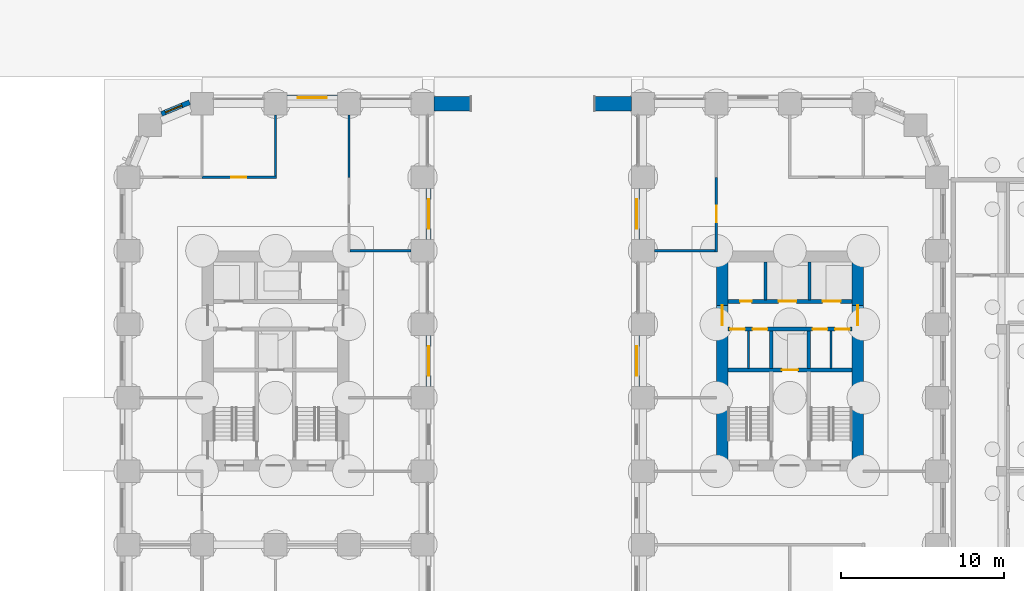
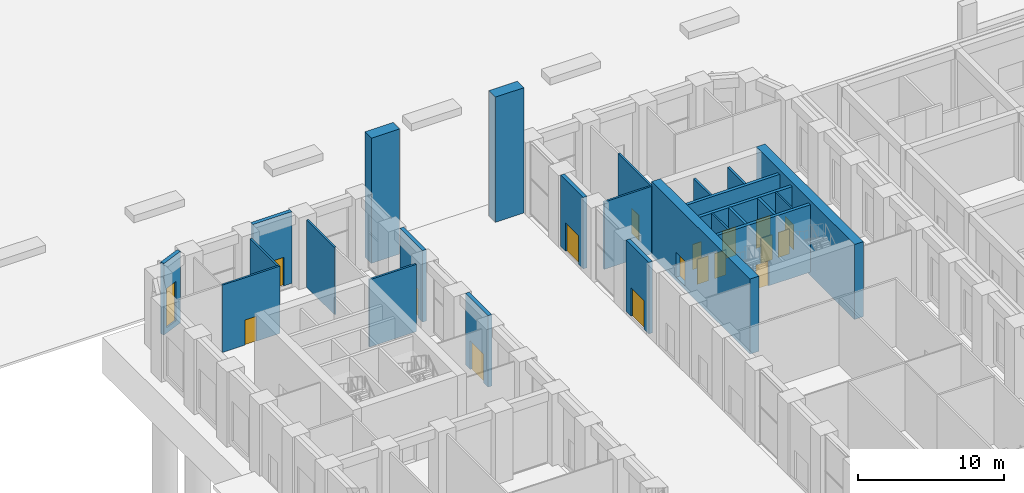
# One storey, part 18 of 31: 25 walls, 17 doors, 1 window, 18 openings.
"""IFC4 building model written with IfcOpenShell, lengths in metres."""

from ifc_helpers import new_model, si_unit, direction, frame, frame_2d, origin, place, context, subcontext, project, spatial, rectangle, extrude, material, layer, layer_set, type_object, element, fill, save


model = new_model("IFC4")

# Units and contexts
model_context = context("Model", 3, precision=1e-05, world=origin(), true_north=direction((0.0, 1.0)))
body_context = subcontext(model_context, "Body", "Model", "MODEL_VIEW")
ifc_project = project(units=[si_unit("LENGTHUNIT", "METRE"), si_unit("AREAUNIT", "SQUARE_METRE"), si_unit("VOLUMEUNIT", "CUBIC_METRE"), si_unit("PLANEANGLEUNIT", "RADIAN"), si_unit("MASSUNIT", "GRAM", prefix="KILO")], contexts=[model_context])

# Site, building, storey
site_placement = place(None, origin())
site = spatial("IfcSite", under=ifc_project, at=site_placement, CompositionType="ELEMENT")
building_placement = place(site_placement, origin())
building = spatial("IfcBuilding", under=site, at=building_placement, Name="Girih Gate Residences", CompositionType="ELEMENT")
storey_placement = place(building_placement, origin())
storey = spatial("IfcBuildingStorey", under=building, at=storey_placement, Name="L00", CompositionType="ELEMENT", Elevation=0.0)

# Wall
ifc_material_1 = material(Name="Gypsum board on steel studs", Category="steel")
ifc_layer_1 = layer(ifc_material_1, 0.14990234375)
ifc_layer_set_1 = layer_set([ifc_layer_1], Name="Compartment wall 150 mm")
wall_type_1 = type_object("IfcWallType", Name="Compartment wall 150 mm", PredefinedType="PARTITIONING", material=ifc_layer_set_1)
wall_1_placement = place(storey_placement, frame((32.199951171875, 40.5, 0.0), z_axis=(0.0, 0.0, 1.0), x_axis=(1.0, 0.0, 0.0)))
element("IfcWall", 1, at=wall_1_placement, inside=storey, type_object=wall_type_1, Name="L00 partition", PredefinedType="PARTITIONING", context=body_context, shape_type="SweptSolid", body=[
    extrude(rectangle(XDim=3.72509765625, YDim=0.14990234375, at=frame_2d((1.862548828125, 0.0))), origin(), (0.0, 0.0, 1.0), 5.64990234375),
])

# Wall, opening, door
wall_2_placement = place(storey_placement, frame((36.0, 40.425048828125, 0.0), z_axis=(0.0, 0.0, 1.0), x_axis=(0.0, 1.0, 0.0)))
wall_2 = element("IfcWall", 2, at=wall_2_placement, inside=storey, type_object=wall_type_1, Name="L00 partition", PredefinedType="PARTITIONING", context=body_context, shape_type="SweptSolid", body=[
    extrude(rectangle(XDim=4.574951171875, YDim=0.14990234375, at=frame_2d((2.28759765625, 0.0))), origin(), (0.0, 0.0, 1.0), 5.64990234375),
])
opening_1_placement = place(wall_2_placement, frame((1.824951171875, 0.0, 0.0)))
opening_1 = element("IfcOpeningElement", 3, at=opening_1_placement, cuts=wall_2, Name="Opening D-L00-S-001", PredefinedType="OPENING", context=body_context, shape_type="SweptSolid", body=[
    extrude(rectangle(XDim=1.0, YDim=2.10009765625, at=frame_2d((0.5, 1.050048828125))), frame((0.0, 0.0849609375, 0.0), z_axis=(0.0, -1.0, 0.0), x_axis=(1.0, 0.0, 0.0)), (0.0, 0.0, 1.0), 0.169921875),
])
ifc_material_2 = material(Name="Timber, fire-rated core", Category="wood")
door_type_1 = type_object("IfcDoorType", Name="Amenity door 1000x2100 FD30S", OperationType="SINGLE_SWING_LEFT", PredefinedType="DOOR", material=ifc_material_2)
door_1_placement = place(opening_1_placement, origin())
door_1 = element("IfcDoor", 4, at=door_1_placement, inside=storey, type_object=door_type_1, Name="Door L00-001", OperationType="SINGLE_SWING_RIGHT", OverallHeight=2.10009765625, OverallWidth=1.0, PredefinedType="DOOR", context=body_context, shape_type="SweptSolid", body=[
    extrude(rectangle(XDim=1.0, YDim=2.10009765625, at=frame_2d((0.5, 1.050048828125))), frame((0.0, 0.02490234375, 0.0), z_axis=(0.0, -1.0, 0.0), x_axis=(1.0, 0.0, 0.0)), (0.0, 0.0, 1.0), 0.050048828125),
])
fill(opening_1, door_1)

# Walls
wall_3_placement = place(storey_placement, frame((13.574951171875, 40.5, 0.0), z_axis=(0.0, 0.0, 1.0), x_axis=(1.0, 0.0, 0.0)))
element("IfcWall", 5, at=wall_3_placement, inside=storey, type_object=wall_type_1, Name="L00 partition", PredefinedType="PARTITIONING", context=body_context, shape_type="SweptSolid", body=[
    extrude(rectangle(XDim=3.72509765625, YDim=0.14990234375, at=frame_2d((1.862548828125, 0.0))), origin(), (0.0, 0.0, 1.0), 5.64990234375),
])
wall_4_placement = place(storey_placement, frame((13.5, 45.0, 0.0), z_axis=(0.0, 0.0, 1.0), x_axis=(0.0, 1.0, 0.0)))
element("IfcWall", 6, at=wall_4_placement, inside=storey, type_object=wall_type_1, Name="L00 partition", PredefinedType="PARTITIONING", context=body_context, shape_type="SweptSolid", body=[
    extrude(rectangle(XDim=3.800048828125, YDim=0.14990234375, at=frame_2d((1.89990234375, 0.0))), origin(), (0.0, 0.0, 1.0), 5.64990234375),
])
wall_5_placement = place(storey_placement, frame((9.0, 45.074951171875, 0.0), z_axis=(0.0, 0.0, 1.0), x_axis=(0.0, 1.0, 0.0)))
element("IfcWall", 7, at=wall_5_placement, inside=storey, type_object=wall_type_1, Name="L00 partition", PredefinedType="PARTITIONING", context=body_context, shape_type="SweptSolid", body=[
    extrude(rectangle(XDim=3.72509765625, YDim=0.14990234375, at=frame_2d((1.862548828125, 0.0))), origin(), (0.0, 0.0, 1.0), 5.64990234375),
])

# Wall, opening, door
wall_6_placement = place(storey_placement, frame((4.5, 45.0, 0.0), z_axis=(0.0, 0.0, 1.0), x_axis=(1.0, 0.0, 0.0)))
wall_6 = element("IfcWall", 8, at=wall_6_placement, inside=storey, type_object=wall_type_1, Name="L00 partition", PredefinedType="PARTITIONING", context=body_context, shape_type="SweptSolid", body=[
    extrude(rectangle(XDim=4.574951171875, YDim=0.14990234375, at=frame_2d((2.28759765625, 0.0))), origin(), (0.0, 0.0, 1.0), 5.64990234375),
])
opening_2_placement = place(wall_6_placement, frame((1.800048828125, 0.0, 0.0)))
opening_2 = element("IfcOpeningElement", 9, at=opening_2_placement, cuts=wall_6, Name="Opening D-L00-S-011", PredefinedType="OPENING", context=body_context, shape_type="SweptSolid", body=[
    extrude(rectangle(XDim=0.89990234375, YDim=2.10009765625, at=frame_2d((0.449951171875, 1.050048828125))), frame((0.0, 0.0849609375, 0.0), z_axis=(0.0, -1.0, 0.0), x_axis=(1.0, 0.0, 0.0)), (0.0, 0.0, 1.0), 0.169921875),
])
ifc_material_3 = material(Name="Timber", Category="wood")
door_type_2 = type_object("IfcDoorType", Name="Room door 900x2100", OperationType="SINGLE_SWING_LEFT", PredefinedType="DOOR", material=ifc_material_3)
door_2_placement = place(opening_2_placement, origin())
door_2 = element("IfcDoor", 10, at=door_2_placement, inside=storey, type_object=door_type_2, Name="Door L00-011", OperationType="SINGLE_SWING_LEFT", OverallHeight=2.10009765625, OverallWidth=0.89990234375, PredefinedType="DOOR", context=body_context, shape_type="SweptSolid", body=[
    extrude(rectangle(XDim=0.89990234375, YDim=2.10009765625, at=frame_2d((0.449951171875, 1.050048828125))), frame((0.0, 0.02490234375, 0.0), z_axis=(0.0, -1.0, 0.0), x_axis=(1.0, 0.0, 0.0)), (0.0, 0.0, 1.0), 0.050048828125),
])
fill(opening_2, door_2)

ifc_material_4 = material(Name="Concrete C60/75", Category="concrete")
ifc_layer_2 = layer(ifc_material_4, 0.699951171875)
ifc_layer_set_2 = layer_set([ifc_layer_2], Name="Core wall RC 700 Concrete C60/75")
wall_type_2 = type_object("IfcWallType", Name="Core wall RC 700 Concrete C60/75", PredefinedType="SOLIDWALL", material=ifc_layer_set_2)
wall_7_placement = place(storey_placement, frame((36.35009765625, 27.0, -0.300048828125), z_axis=(0.0, 0.0, 1.0), x_axis=(0.0, 1.0, 0.0)))
wall_7 = element("IfcWall", 11, at=wall_7_placement, inside=storey, type_object=wall_type_2, Name="Core wall E-W L00", PredefinedType="SOLIDWALL", context=body_context, shape_type="SweptSolid", body=[
    extrude(rectangle(XDim=13.5, YDim=0.699951171875, at=frame_2d((6.75, 0.0))), origin(), (0.0, 0.0, 1.0), 6.300048828125),
])
opening_3_placement = place(wall_7_placement, frame((8.949951171875, 0.0, 0.300048828125)))
opening_3 = element("IfcOpeningElement", 12, at=opening_3_placement, cuts=wall_7, Name="Opening D-L00-E-014", PredefinedType="OPENING", context=body_context, shape_type="SweptSolid", body=[
    extrude(rectangle(XDim=1.199951171875, YDim=2.10009765625, at=frame_2d((0.60009765625, 1.050048828125))), frame((0.0, 0.35986328125, 0.0), z_axis=(0.0, -1.0, 0.0), x_axis=(1.0, 0.0, 0.0)), (0.0, 0.0, 1.0), 0.719970703125),
])
ifc_material_5 = material(Name="Painted steel, fire-resisting", Category="steel")
door_type_3 = type_object("IfcDoorType", Name="Fire door 1200x2100 raised threshold", OperationType="SINGLE_SWING_LEFT", PredefinedType="DOOR", material=ifc_material_5)
door_3_placement = place(opening_3_placement, origin())
door_3 = element("IfcDoor", 13, at=door_3_placement, inside=storey, type_object=door_type_3, Name="L00 E core door ll-w", OperationType="SINGLE_SWING_LEFT", OverallHeight=2.10009765625, OverallWidth=1.199951171875, PredefinedType="DOOR", context=body_context, shape_type="SweptSolid", body=[
    extrude(rectangle(XDim=1.199951171875, YDim=2.10009765625, at=frame_2d((0.60009765625, 1.050048828125))), frame((0.0, 0.02490234375, 0.0), z_axis=(0.0, -1.0, 0.0), x_axis=(1.0, 0.0, 0.0)), (0.0, 0.0, 1.0), 0.050048828125),
])
fill(opening_3, door_3)

wall_8_placement = place(storey_placement, frame((44.64990234375, 27.0, -0.300048828125), z_axis=(0.0, 0.0, 1.0), x_axis=(0.0, 1.0, 0.0)))
wall_8 = element("IfcWall", 14, at=wall_8_placement, inside=storey, type_object=wall_type_2, Name="Core wall E-E L00", PredefinedType="SOLIDWALL", context=body_context, shape_type="SweptSolid", body=[
    extrude(rectangle(XDim=13.5, YDim=0.699951171875, at=frame_2d((6.75, 0.0))), origin(), (0.0, 0.0, 1.0), 6.300048828125),
])
opening_4_placement = place(wall_8_placement, frame((8.949951171875, 0.0, 0.300048828125)))
opening_4 = element("IfcOpeningElement", 15, at=opening_4_placement, cuts=wall_8, Name="Opening D-L00-E-015", PredefinedType="OPENING", context=body_context, shape_type="SweptSolid", body=[
    extrude(rectangle(XDim=1.199951171875, YDim=2.10009765625, at=frame_2d((0.60009765625, 1.050048828125))), frame((0.0, 0.35986328125, 0.0), z_axis=(0.0, -1.0, 0.0), x_axis=(1.0, 0.0, 0.0)), (0.0, 0.0, 1.0), 0.719970703125),
])
door_4_placement = place(opening_4_placement, origin())
door_4 = element("IfcDoor", 16, at=door_4_placement, inside=storey, type_object=door_type_3, Name="L00 E core door ll-e", OperationType="SINGLE_SWING_LEFT", OverallHeight=2.10009765625, OverallWidth=1.199951171875, PredefinedType="DOOR", context=body_context, shape_type="SweptSolid", body=[
    extrude(rectangle(XDim=1.199951171875, YDim=2.10009765625, at=frame_2d((0.60009765625, 1.050048828125))), frame((0.0, 0.02490234375, 0.0), z_axis=(0.0, -1.0, 0.0), x_axis=(1.0, 0.0, 0.0)), (0.0, 0.0, 1.0), 0.050048828125),
])
fill(opening_4, door_4)

ifc_material_6 = material(Name="Concrete C40/50", Category="concrete")
ifc_layer_3 = layer(ifc_material_6, 0.25)
ifc_layer_set_3 = layer_set([ifc_layer_3], Name="Lift shaft wall 250")
wall_type_3 = type_object("IfcWallType", Name="Lift shaft wall 250", PredefinedType="SOLIDWALL", material=ifc_layer_set_3)
wall_9_placement = place(storey_placement, frame((36.699951171875, 33.199951171875, 0.0), z_axis=(0.0, 0.0, 1.0), x_axis=(1.0, 0.0, 0.0)))
wall_9 = element("IfcWall", 17, at=wall_9_placement, inside=storey, type_object=wall_type_3, Name="L00 E core wall H1", PredefinedType="SOLIDWALL", context=body_context, shape_type="SweptSolid", body=[
    extrude(rectangle(XDim=7.60009765625, YDim=0.25, at=frame_2d((3.800048828125, 0.0))), origin(), (0.0, 0.0, 1.0), 5.64990234375),
])
opening_5_placement = place(wall_9_placement, frame((3.300048828125, 0.0, 0.0)))
opening_5 = element("IfcOpeningElement", 18, at=opening_5_placement, cuts=wall_9, Name="Opening D-L00-E-005", PredefinedType="OPENING", context=body_context, shape_type="SweptSolid", body=[
    extrude(rectangle(XDim=1.0, YDim=2.10009765625, at=frame_2d((0.5, 1.050048828125))), frame((0.0, 0.135009765625, 0.0), z_axis=(0.0, -1.0, 0.0), x_axis=(1.0, 0.0, 0.0)), (0.0, 0.0, 1.0), 0.27001953125),
])
ifc_material_7 = material(Name="Stainless steel, fire-resisting", Category="steel")
door_type_4 = type_object("IfcDoorType", Name="Firefighting lift landing door 1000x2100", OperationType="SLIDING_TO_LEFT", PredefinedType="DOOR", material=ifc_material_7)
door_5_placement = place(opening_5_placement, origin())
door_5 = element("IfcDoor", 19, at=door_5_placement, inside=storey, type_object=door_type_4, Name="L00 lift FF-E landing door", OperationType="SLIDING_TO_LEFT", OverallHeight=2.10009765625, OverallWidth=1.0, PredefinedType="DOOR", context=body_context, shape_type="SweptSolid", body=[
    extrude(rectangle(XDim=1.0, YDim=2.10009765625, at=frame_2d((0.5, 1.050048828125))), frame((0.0, 0.02490234375, 0.0), z_axis=(0.0, -1.0, 0.0), x_axis=(1.0, 0.0, 0.0)), (0.0, 0.0, 1.0), 0.050048828125),
])
fill(opening_5, door_5)

# Wall, openings, doors
wall_10_placement = place(storey_placement, frame((36.699951171875, 35.699951171875, 0.0), z_axis=(0.0, 0.0, 1.0), x_axis=(1.0, 0.0, 0.0)))
wall_10 = element("IfcWall", 20, at=wall_10_placement, inside=storey, type_object=wall_type_3, Name="L00 E core wall H2", PredefinedType="SOLIDWALL", context=body_context, shape_type="SweptSolid", body=[
    extrude(rectangle(XDim=7.60009765625, YDim=0.25, at=frame_2d((3.800048828125, 0.0))), origin(), (0.0, 0.0, 1.0), 5.64990234375),
])
opening_6_placement = place(wall_10_placement, frame((6.5625, 0.0, 0.0)))
opening_6 = element("IfcOpeningElement", 21, at=opening_6_placement, cuts=wall_10, Name="Opening D-L00-E-007", PredefinedType="OPENING", context=body_context, shape_type="SweptSolid", body=[
    extrude(rectangle(XDim=0.89990234375, YDim=2.10009765625, at=frame_2d((0.449951171875, 1.050048828125))), frame((0.0, 0.135009765625, 0.0), z_axis=(0.0, -1.0, 0.0), x_axis=(1.0, 0.0, 0.0)), (0.0, 0.0, 1.0), 0.27001953125),
])
opening_7_placement = place(wall_10_placement, frame((5.1875, 0.0, 0.0)))
opening_7 = element("IfcOpeningElement", 22, at=opening_7_placement, cuts=wall_10, Name="Opening D-L00-E-008", PredefinedType="OPENING", context=body_context, shape_type="SweptSolid", body=[
    extrude(rectangle(XDim=0.89990234375, YDim=2.10009765625, at=frame_2d((0.449951171875, 1.050048828125))), frame((0.0, 0.135009765625, 0.0), z_axis=(0.0, -1.0, 0.0), x_axis=(1.0, 0.0, 0.0)), (0.0, 0.0, 1.0), 0.27001953125),
])
opening_8_placement = place(wall_10_placement, frame((1.512451171875, 0.0, 0.0)))
opening_8 = element("IfcOpeningElement", 23, at=opening_8_placement, cuts=wall_10, Name="Opening D-L00-E-009", PredefinedType="OPENING", context=body_context, shape_type="SweptSolid", body=[
    extrude(rectangle(XDim=0.89990234375, YDim=2.10009765625, at=frame_2d((0.449951171875, 1.050048828125))), frame((0.0, 0.135009765625, 0.0), z_axis=(0.0, -1.0, 0.0), x_axis=(1.0, 0.0, 0.0)), (0.0, 0.0, 1.0), 0.27001953125),
])
opening_9_placement = place(wall_10_placement, frame((0.137451171875, 0.0, 0.0)))
opening_9 = element("IfcOpeningElement", 24, at=opening_9_placement, cuts=wall_10, Name="Opening D-L00-E-010", PredefinedType="OPENING", context=body_context, shape_type="SweptSolid", body=[
    extrude(rectangle(XDim=0.89990234375, YDim=2.10009765625, at=frame_2d((0.449951171875, 1.050048828125))), frame((0.0, 0.135009765625, 0.0), z_axis=(0.0, -1.0, 0.0), x_axis=(1.0, 0.0, 0.0)), (0.0, 0.0, 1.0), 0.27001953125),
])
door_type_5 = type_object("IfcDoorType", Name="Fire door 900x2100", OperationType="SINGLE_SWING_LEFT", PredefinedType="DOOR", material=ifc_material_5)
door_6_placement = place(opening_6_placement, origin())
door_6 = element("IfcDoor", 25, at=door_6_placement, inside=storey, type_object=door_type_5, Name="L00 E pantry door", OperationType="SINGLE_SWING_LEFT", OverallHeight=2.10009765625, OverallWidth=0.89990234375, PredefinedType="DOOR", context=body_context, shape_type="SweptSolid", body=[
    extrude(rectangle(XDim=0.89990234375, YDim=2.10009765625, at=frame_2d((0.449951171875, 1.050048828125))), frame((0.0, 0.02490234375, 0.0), z_axis=(0.0, -1.0, 0.0), x_axis=(1.0, 0.0, 0.0)), (0.0, 0.0, 1.0), 0.050048828125),
])
fill(opening_6, door_6)
door_7_placement = place(opening_7_placement, origin())
door_7 = element("IfcDoor", 26, at=door_7_placement, inside=storey, type_object=door_type_5, Name="L00 E housekeeping store door", OperationType="SINGLE_SWING_LEFT", OverallHeight=2.10009765625, OverallWidth=0.89990234375, PredefinedType="DOOR", context=body_context, shape_type="SweptSolid", body=[
    extrude(rectangle(XDim=0.89990234375, YDim=2.10009765625, at=frame_2d((0.449951171875, 1.050048828125))), frame((0.0, 0.02490234375, 0.0), z_axis=(0.0, -1.0, 0.0), x_axis=(1.0, 0.0, 0.0)), (0.0, 0.0, 1.0), 0.050048828125),
])
fill(opening_7, door_7)
door_8_placement = place(opening_8_placement, origin())
door_8 = element("IfcDoor", 27, at=door_8_placement, inside=storey, type_object=door_type_5, Name="L00 E comms room door", OperationType="SINGLE_SWING_LEFT", OverallHeight=2.10009765625, OverallWidth=0.89990234375, PredefinedType="DOOR", context=body_context, shape_type="SweptSolid", body=[
    extrude(rectangle(XDim=0.89990234375, YDim=2.10009765625, at=frame_2d((0.449951171875, 1.050048828125))), frame((0.0, 0.02490234375, 0.0), z_axis=(0.0, -1.0, 0.0), x_axis=(1.0, 0.0, 0.0)), (0.0, 0.0, 1.0), 0.050048828125),
])
fill(opening_8, door_8)
door_9_placement = place(opening_9_placement, origin())
door_9 = element("IfcDoor", 28, at=door_9_placement, inside=storey, type_object=door_type_5, Name="L00 E it room door", OperationType="SINGLE_SWING_LEFT", OverallHeight=2.10009765625, OverallWidth=0.89990234375, PredefinedType="DOOR", context=body_context, shape_type="SweptSolid", body=[
    extrude(rectangle(XDim=0.89990234375, YDim=2.10009765625, at=frame_2d((0.449951171875, 1.050048828125))), frame((0.0, 0.02490234375, 0.0), z_axis=(0.0, -1.0, 0.0), x_axis=(1.0, 0.0, 0.0)), (0.0, 0.0, 1.0), 0.050048828125),
])
fill(opening_9, door_9)

wall_11_placement = place(storey_placement, frame((36.699951171875, 37.39990234375, 0.0), z_axis=(0.0, 0.0, 1.0), x_axis=(1.0, 0.0, 0.0)))
wall_11 = element("IfcWall", 29, at=wall_11_placement, inside=storey, type_object=wall_type_3, Name="L00 E core wall H3", PredefinedType="SOLIDWALL", context=body_context, shape_type="SweptSolid", body=[
    extrude(rectangle(XDim=7.60009765625, YDim=0.25, at=frame_2d((3.800048828125, 0.0))), origin(), (0.0, 0.0, 1.0), 5.64990234375),
])
opening_10_placement = place(wall_11_placement, frame((5.800048828125, 0.0, 0.0)))
opening_10 = element("IfcOpeningElement", 30, at=opening_10_placement, cuts=wall_11, Name="Opening D-L00-E-003", PredefinedType="OPENING", context=body_context, shape_type="SweptSolid", body=[
    extrude(rectangle(XDim=1.10009765625, YDim=2.39990234375, at=frame_2d((0.550048828125, 1.199951171875))), frame((0.0, 0.135009765625, 0.0), z_axis=(0.0, -1.0, 0.0), x_axis=(1.0, 0.0, 0.0)), (0.0, 0.0, 1.0), 0.27001953125),
])
opening_11_placement = place(wall_11_placement, frame((3.10009765625, 0.0, 0.0)))
opening_11 = element("IfcOpeningElement", 31, at=opening_11_placement, cuts=wall_11, Name="Opening D-L00-E-004", PredefinedType="OPENING", context=body_context, shape_type="SweptSolid", body=[
    extrude(rectangle(XDim=1.10009765625, YDim=2.39990234375, at=frame_2d((0.550048828125, 1.199951171875))), frame((0.0, 0.135009765625, 0.0), z_axis=(0.0, -1.0, 0.0), x_axis=(1.0, 0.0, 0.0)), (0.0, 0.0, 1.0), 0.27001953125),
])
opening_12_placement = place(wall_11_placement, frame((0.75, 0.0, 0.0)))
opening_12 = element("IfcOpeningElement", 32, at=opening_12_placement, cuts=wall_11, Name="Opening D-L00-E-006", PredefinedType="OPENING", context=body_context, shape_type="SweptSolid", body=[
    extrude(rectangle(XDim=0.699951171875, YDim=2.10009765625, at=frame_2d((0.35009765625, 1.050048828125))), frame((0.0, 0.135009765625, 0.0), z_axis=(0.0, -1.0, 0.0), x_axis=(1.0, 0.0, 0.0)), (0.0, 0.0, 1.0), 0.27001953125),
])
ifc_material_8 = material(Name="Stainless steel", Category="steel")
door_type_6 = type_object("IfcDoorType", Name="Lift landing door 1100x2400", OperationType="SLIDING_TO_LEFT", PredefinedType="DOOR", material=ifc_material_8)
door_10_placement = place(opening_10_placement, origin())
door_10 = element("IfcDoor", 33, at=door_10_placement, inside=storey, type_object=door_type_6, Name="L00 lift LR-E1 landing door", OperationType="SLIDING_TO_LEFT", OverallHeight=2.39990234375, OverallWidth=1.10009765625, PredefinedType="DOOR", context=body_context, shape_type="SweptSolid", body=[
    extrude(rectangle(XDim=1.10009765625, YDim=2.39990234375, at=frame_2d((0.550048828125, 1.199951171875))), frame((0.0, 0.02490234375, 0.0), z_axis=(0.0, -1.0, 0.0), x_axis=(1.0, 0.0, 0.0)), (0.0, 0.0, 1.0), 0.050048828125),
])
fill(opening_10, door_10)
door_11_placement = place(opening_11_placement, origin())
door_11 = element("IfcDoor", 34, at=door_11_placement, inside=storey, type_object=door_type_6, Name="L00 lift LR-E2 landing door", OperationType="SLIDING_TO_LEFT", OverallHeight=2.39990234375, OverallWidth=1.10009765625, PredefinedType="DOOR", context=body_context, shape_type="SweptSolid", body=[
    extrude(rectangle(XDim=1.10009765625, YDim=2.39990234375, at=frame_2d((0.550048828125, 1.199951171875))), frame((0.0, 0.02490234375, 0.0), z_axis=(0.0, -1.0, 0.0), x_axis=(1.0, 0.0, 0.0)), (0.0, 0.0, 1.0), 0.050048828125),
])
fill(opening_11, door_11)
door_type_7 = type_object("IfcDoorType", Name="Riser access door 700x2100", OperationType="SINGLE_SWING_LEFT", PredefinedType="DOOR", material=ifc_material_5)
door_12_placement = place(opening_12_placement, origin())
door_12 = element("IfcDoor", 35, at=door_12_placement, inside=storey, type_object=door_type_7, Name="L00 E riser room door", OperationType="SINGLE_SWING_LEFT", OverallHeight=2.10009765625, OverallWidth=0.699951171875, PredefinedType="DOOR", context=body_context, shape_type="SweptSolid", body=[
    extrude(rectangle(XDim=0.699951171875, YDim=2.10009765625, at=frame_2d((0.35009765625, 1.050048828125))), frame((0.0, 0.02490234375, 0.0), z_axis=(0.0, -1.0, 0.0), x_axis=(1.0, 0.0, 0.0)), (0.0, 0.0, 1.0), 0.050048828125),
])
fill(opening_12, door_12)

# Walls
ifc_material_9 = material(Name="Precast concrete C60/75", Category="concrete")
ifc_layer_4 = layer(ifc_material_9, 0.89990234375)
ifc_layer_set_4 = layer_set([ifc_layer_4], Name="Pishtaq jamb 2250x900")
wall_type_4 = type_object("IfcWallType", Name="Pishtaq jamb 2250x900", PredefinedType="SOLIDWALL", material=ifc_layer_set_4)
for number, where, z_axis, x_axis, name in (
    (36, (18.699951171875, 49.5, 0.0), (0.0, 0.0, 1.0), (1.0, 0.0, 0.0), "Pishtaq jamb N1"),
    (37, (28.550048828125, 49.5, 0.0), (0.0, 0.0, 1.0), (1.0, 0.0, 0.0), "Pishtaq jamb N2"),
):
    element("IfcWall", number, at=place(storey_placement, frame(where, z_axis=z_axis, x_axis=x_axis)), inside=storey, type_object=wall_type_4, Name=name, PredefinedType="SOLIDWALL", context=body_context, shape_type="SweptSolid", body=[
        extrude(rectangle(XDim=2.25, YDim=0.89990234375, at=frame_2d((1.125, 0.0))), origin(), (0.0, 0.0, 1.0), 10.5),
    ])

# Wall, opening, door
ifc_material_10 = material(Name="Precast concrete C50/60", Category="concrete")
ifc_layer_5 = layer(ifc_material_10, 0.080078125, Name="Outer leaf")
ifc_material_11 = material(Name="Rigid PIR insulation")
ifc_layer_6 = layer(ifc_material_11, 0.14990234375, Name="Insulation")
ifc_material_12 = material(Name="Precast concrete C40/50", Category="concrete")
ifc_layer_7 = layer(ifc_material_12, 0.070068359375, Name="Inner leaf")
ifc_layer_set_5 = layer_set([ifc_layer_5, ifc_layer_6, ifc_layer_7], Name="Precast concrete C50/60 external wall 300")
wall_type_5 = type_object("IfcWallType", Name="Precast concrete C50/60 external wall 300", PredefinedType="SOLIDWALL", material=ifc_layer_set_5)
wall_12_placement = place(storey_placement, frame((9.699951171875, 49.875, 0.0), z_axis=(0.0, 0.0, 1.0), x_axis=(1.0, 0.0, 0.0)))
wall_12 = element("IfcWall", 38, at=wall_12_placement, inside=storey, type_object=wall_type_5, Name="External wall N0180_0495.1", PredefinedType="SOLIDWALL", context=body_context, shape_type="SweptSolid", body=[
    extrude(rectangle(XDim=3.10009765625, YDim=0.300048828125, at=frame_2d((1.550048828125, 0.0))), origin(), (0.0, 0.0, 1.0), 6.0),
])
opening_13_placement = place(wall_12_placement, frame((0.64990234375, 0.0, 0.0)))
opening_13 = element("IfcOpeningElement", 39, at=opening_13_placement, cuts=wall_12, Name="Opening ED-1", PredefinedType="OPENING", context=body_context, shape_type="SweptSolid", body=[
    extrude(rectangle(XDim=1.800048828125, YDim=2.39990234375, at=frame_2d((0.89990234375, 1.199951171875))), frame((0.0, 0.159912109375, 0.0), z_axis=(0.0, -1.0, 0.0), x_axis=(1.0, 0.0, 0.0)), (0.0, 0.0, 1.0), 0.320068359375),
])
ifc_material_13 = material(Name="Aluminium and glass entrance door", Category="aluminium")
door_type_8 = type_object("IfcDoorType", Name="Entrance door pair 1800x2400", OperationType="DOUBLE_DOOR_SINGLE_SWING", PredefinedType="DOOR", material=ifc_material_13)
door_13_placement = place(opening_13_placement, origin())
door_13 = element("IfcDoor", 40, at=door_13_placement, inside=storey, type_object=door_type_8, Name="Plaza entrance N0180_0495.1", OperationType="SINGLE_SWING_LEFT", OverallHeight=2.39990234375, OverallWidth=1.800048828125, PredefinedType="DOOR", context=body_context, shape_type="SweptSolid", body=[
    extrude(rectangle(XDim=1.800048828125, YDim=2.39990234375, at=frame_2d((0.89990234375, 1.199951171875))), frame((0.0, 0.02490234375, 0.0), z_axis=(0.0, -1.0, 0.0), x_axis=(1.0, 0.0, 0.0)), (0.0, 0.0, 1.0), 0.050048828125),
])
fill(opening_13, door_13)

# Wall, opening, window
wall_13_placement = place(storey_placement, frame((2.01953125, 48.87841796875, 0.0), z_axis=(0.0, 0.0, 1.0), x_axis=(0.923903565336, 0.38262540684, 0.0)))
wall_13 = element("IfcWall", 41, at=wall_13_placement, inside=storey, type_object=wall_type_5, Name="External wall NW0045_0495.0", PredefinedType="SOLIDWALL", context=body_context, shape_type="SweptSolid", body=[
    extrude(rectangle(XDim=1.864990234375, YDim=0.300048828125, at=frame_2d((0.9326171875, 0.0))), origin(), (0.0, 0.0, 1.0), 6.0),
])
opening_14_placement = place(wall_13_placement, frame((0.257568359375, 0.0, 0.449951171875)))
opening_14 = element("IfcOpeningElement", 42, at=opening_14_placement, cuts=wall_13, Name="Opening W-2A", PredefinedType="OPENING", context=body_context, shape_type="SweptSolid", body=[
    extrude(rectangle(XDim=1.10009765625, YDim=3.300048828125, at=frame_2d((0.550048828125, 1.64990234375))), frame((0.0, 0.159912109375, 0.0), z_axis=(0.0, -1.0, 0.0), x_axis=(1.0, 0.0, 0.0)), (0.0, 0.0, 1.0), 0.320068359375),
])
ifc_material_14 = material(Name="Double glazing in aluminium frame", Category="aluminium")
window_type = type_object("IfcWindowType", Name="Window W-2A 1100x3300", PartitioningType="SINGLE_PANEL", PredefinedType="WINDOW", material=ifc_material_14)
window_placement = place(opening_14_placement, origin())
window = element("IfcWindow", 43, at=window_placement, inside=storey, type_object=window_type, Name="Window W-2A NW0045_0495.0", OverallHeight=3.300048828125, OverallWidth=1.10009765625, PartitioningType="SINGLE_PANEL", PredefinedType="WINDOW", context=body_context, shape_type="SweptSolid", body=[
    extrude(rectangle(XDim=1.10009765625, YDim=3.300048828125, at=frame_2d((0.550048828125, 1.64990234375))), frame((0.0, 0.030029296875, 0.0), z_axis=(0.0, -1.0, 0.0), x_axis=(1.0, 0.0, 0.0)), (0.0, 0.0, 1.0), 0.06005859375),
])
fill(opening_14, window)

# Wall, opening, door
wall_14_placement = place(storey_placement, frame((18.375, 35.300048828125, 0.0), z_axis=(0.0, 0.0, 1.0), x_axis=(0.0, -1.0, 0.0)))
wall_14 = element("IfcWall", 44, at=wall_14_placement, inside=storey, type_object=wall_type_5, Name="External wall E0180_0000.7", PredefinedType="SOLIDWALL", context=body_context, shape_type="SweptSolid", body=[
    extrude(rectangle(XDim=3.10009765625, YDim=0.300048828125, at=frame_2d((1.550048828125, 0.0))), origin(), (0.0, 0.0, 1.0), 6.0),
])
opening_15_placement = place(wall_14_placement, frame((0.64990234375, 0.0, 0.0)))
opening_15 = element("IfcOpeningElement", 45, at=opening_15_placement, cuts=wall_14, Name="Opening ED-1", PredefinedType="OPENING", context=body_context, shape_type="SweptSolid", body=[
    extrude(rectangle(XDim=1.800048828125, YDim=2.39990234375, at=frame_2d((0.89990234375, 1.199951171875))), frame((0.0, 0.159912109375, 0.0), z_axis=(0.0, -1.0, 0.0), x_axis=(1.0, 0.0, 0.0)), (0.0, 0.0, 1.0), 0.320068359375),
])
door_14_placement = place(opening_15_placement, origin())
door_14 = element("IfcDoor", 46, at=door_14_placement, inside=storey, type_object=door_type_8, Name="Residents lobby entrance E0180_0000.7", OperationType="SINGLE_SWING_LEFT", OverallHeight=2.39990234375, OverallWidth=1.800048828125, PredefinedType="DOOR", context=body_context, shape_type="SweptSolid", body=[
    extrude(rectangle(XDim=1.800048828125, YDim=2.39990234375, at=frame_2d((0.89990234375, 1.199951171875))), frame((0.0, 0.02490234375, 0.0), z_axis=(0.0, -1.0, 0.0), x_axis=(1.0, 0.0, 0.0)), (0.0, 0.0, 1.0), 0.050048828125),
])
fill(opening_15, door_14)

wall_15_placement = place(storey_placement, frame((18.375, 44.300048828125, 0.0), z_axis=(0.0, 0.0, 1.0), x_axis=(0.0, -1.0, 0.0)))
wall_15 = element("IfcWall", 47, at=wall_15_placement, inside=storey, type_object=wall_type_5, Name="External wall E0180_0000.9", PredefinedType="SOLIDWALL", context=body_context, shape_type="SweptSolid", body=[
    extrude(rectangle(XDim=3.10009765625, YDim=0.300048828125, at=frame_2d((1.550048828125, 0.0))), origin(), (0.0, 0.0, 1.0), 6.0),
])
opening_16_placement = place(wall_15_placement, frame((0.64990234375, 0.0, 0.0)))
opening_16 = element("IfcOpeningElement", 48, at=opening_16_placement, cuts=wall_15, Name="Opening ED-1", PredefinedType="OPENING", context=body_context, shape_type="SweptSolid", body=[
    extrude(rectangle(XDim=1.800048828125, YDim=2.39990234375, at=frame_2d((0.89990234375, 1.199951171875))), frame((0.0, 0.159912109375, 0.0), z_axis=(0.0, -1.0, 0.0), x_axis=(1.0, 0.0, 0.0)), (0.0, 0.0, 1.0), 0.320068359375),
])
door_15_placement = place(opening_16_placement, origin())
door_15 = element("IfcDoor", 49, at=door_15_placement, inside=storey, type_object=door_type_8, Name="Shop entrance E0180_0000.9", OperationType="SINGLE_SWING_LEFT", OverallHeight=2.39990234375, OverallWidth=1.800048828125, PredefinedType="DOOR", context=body_context, shape_type="SweptSolid", body=[
    extrude(rectangle(XDim=1.800048828125, YDim=2.39990234375, at=frame_2d((0.89990234375, 1.199951171875))), frame((0.0, 0.02490234375, 0.0), z_axis=(0.0, -1.0, 0.0), x_axis=(1.0, 0.0, 0.0)), (0.0, 0.0, 1.0), 0.050048828125),
])
fill(opening_16, door_15)

wall_16_placement = place(storey_placement, frame((31.125, 41.199951171875, 0.0), z_axis=(0.0, 0.0, 1.0), x_axis=(0.0, 1.0, 0.0)))
wall_16 = element("IfcWall", 50, at=wall_16_placement, inside=storey, type_object=wall_type_5, Name="External wall W0315_0495.1", PredefinedType="SOLIDWALL", context=body_context, shape_type="SweptSolid", body=[
    extrude(rectangle(XDim=3.10009765625, YDim=0.300048828125, at=frame_2d((1.550048828125, 0.0))), origin(), (0.0, 0.0, 1.0), 6.0),
])
opening_17_placement = place(wall_16_placement, frame((0.64990234375, 0.0, 0.0)))
opening_17 = element("IfcOpeningElement", 51, at=opening_17_placement, cuts=wall_16, Name="Opening ED-1", PredefinedType="OPENING", context=body_context, shape_type="SweptSolid", body=[
    extrude(rectangle(XDim=1.800048828125, YDim=2.39990234375, at=frame_2d((0.89990234375, 1.199951171875))), frame((0.0, 0.159912109375, 0.0), z_axis=(0.0, -1.0, 0.0), x_axis=(1.0, 0.0, 0.0)), (0.0, 0.0, 1.0), 0.320068359375),
])
door_16_placement = place(opening_17_placement, origin())
door_16 = element("IfcDoor", 52, at=door_16_placement, inside=storey, type_object=door_type_8, Name="Shop entrance W0315_0495.1", OperationType="SINGLE_SWING_LEFT", OverallHeight=2.39990234375, OverallWidth=1.800048828125, PredefinedType="DOOR", context=body_context, shape_type="SweptSolid", body=[
    extrude(rectangle(XDim=1.800048828125, YDim=2.39990234375, at=frame_2d((0.89990234375, 1.199951171875))), frame((0.0, 0.02490234375, 0.0), z_axis=(0.0, -1.0, 0.0), x_axis=(1.0, 0.0, 0.0)), (0.0, 0.0, 1.0), 0.050048828125),
])
fill(opening_17, door_16)

wall_17_placement = place(storey_placement, frame((31.125, 32.199951171875, 0.0), z_axis=(0.0, 0.0, 1.0), x_axis=(0.0, 1.0, 0.0)))
wall_17 = element("IfcWall", 53, at=wall_17_placement, inside=storey, type_object=wall_type_5, Name="External wall W0315_0495.3", PredefinedType="SOLIDWALL", context=body_context, shape_type="SweptSolid", body=[
    extrude(rectangle(XDim=3.10009765625, YDim=0.300048828125, at=frame_2d((1.550048828125, 0.0))), origin(), (0.0, 0.0, 1.0), 6.0),
])
opening_18_placement = place(wall_17_placement, frame((0.64990234375, 0.0, 0.0)))
opening_18 = element("IfcOpeningElement", 54, at=opening_18_placement, cuts=wall_17, Name="Opening ED-1", PredefinedType="OPENING", context=body_context, shape_type="SweptSolid", body=[
    extrude(rectangle(XDim=1.800048828125, YDim=2.39990234375, at=frame_2d((0.89990234375, 1.199951171875))), frame((0.0, 0.159912109375, 0.0), z_axis=(0.0, -1.0, 0.0), x_axis=(1.0, 0.0, 0.0)), (0.0, 0.0, 1.0), 0.320068359375),
])
door_17_placement = place(opening_18_placement, origin())
door_17 = element("IfcDoor", 55, at=door_17_placement, inside=storey, type_object=door_type_8, Name="Residents lobby entrance W0315_0495.3", OperationType="SINGLE_SWING_LEFT", OverallHeight=2.39990234375, OverallWidth=1.800048828125, PredefinedType="DOOR", context=body_context, shape_type="SweptSolid", body=[
    extrude(rectangle(XDim=1.800048828125, YDim=2.39990234375, at=frame_2d((0.89990234375, 1.199951171875))), frame((0.0, 0.02490234375, 0.0), z_axis=(0.0, -1.0, 0.0), x_axis=(1.0, 0.0, 0.0)), (0.0, 0.0, 1.0), 0.050048828125),
])
fill(opening_18, door_17)

# Walls
ifc_layer_8 = layer(ifc_material_6, 0.175048828125)
ifc_layer_set_6 = layer_set([ifc_layer_8], Name="Riser shaft wall 175")
wall_type_6 = type_object("IfcWallType", Name="Riser shaft wall 175", PredefinedType="SOLIDWALL", material=ifc_layer_set_6)
for number, where, z_axis, x_axis, name in (
    (56, (41.699951171875, 37.5, 0.0), (0.0, 0.0, 1.0), (0.0, 1.0, 0.0), "L00 E core wall V1c"),
    (57, (39.0, 37.5, 0.0), (0.0, 0.0, 1.0), (0.0, 1.0, 0.0), "L00 E core wall V2c"),
):
    element("IfcWall", number, at=place(storey_placement, frame(where, z_axis=z_axis, x_axis=x_axis)), inside=storey, type_object=wall_type_6, Name=name, PredefinedType="SOLIDWALL", context=body_context, shape_type="SweptSolid", body=[
        extrude(rectangle(XDim=2.300048828125, YDim=0.175048828125, at=frame_2d((1.14990234375, 0.0))), origin(), (0.0, 0.0, 1.0), 5.64990234375),
    ])
ifc_layer_9 = layer(ifc_material_6, 0.199951171875)
ifc_layer_set_7 = layer_set([ifc_layer_9], Name="Shaft wall 200")
wall_type_7 = type_object("IfcWallType", Name="Shaft wall 200", PredefinedType="SOLIDWALL", material=ifc_layer_set_7)
for number, where, z_axis, x_axis, name in (
    (58, (41.64990234375, 33.300048828125, 0.0), (0.0, 0.0, 1.0), (0.0, 1.0, 0.0), "L00 E core wall V1b"),
    (59, (39.35009765625, 33.300048828125, 0.0), (0.0, 0.0, 1.0), (0.0, 1.0, 0.0), "L00 E core wall V2b"),
):
    element("IfcWall", number, at=place(storey_placement, frame(where, z_axis=z_axis, x_axis=x_axis)), inside=storey, type_object=wall_type_7, Name=name, PredefinedType="SOLIDWALL", context=body_context, shape_type="SweptSolid", body=[
        extrude(rectangle(XDim=2.300048828125, YDim=0.199951171875, at=frame_2d((1.14990234375, 0.0))), origin(), (0.0, 0.0, 1.0), 5.64990234375),
    ])
ifc_material_15 = material(Name="Calcium silicate blockwork", Category="masonry")
ifc_layer_10 = layer(ifc_material_15, 0.125)
ifc_layer_set_8 = layer_set([ifc_layer_10], Name="Store partition 125")
wall_type_8 = type_object("IfcWallType", Name="Store partition 125", PredefinedType="PARTITIONING", material=ifc_layer_set_8)
for number, where, z_axis, x_axis, name in (
    (60, (43.02490234375, 33.300048828125, 0.0), (0.0, 0.0, 1.0), (0.0, 1.0, 0.0), "L00 E core wall SHR1"),
    (61, (37.97509765625, 33.300048828125, 0.0), (0.0, 0.0, 1.0), (0.0, 1.0, 0.0), "L00 E core wall SHR2"),
):
    element("IfcWall", number, at=place(storey_placement, frame(where, z_axis=z_axis, x_axis=x_axis)), inside=storey, type_object=wall_type_8, Name=name, PredefinedType="PARTITIONING", context=body_context, shape_type="SweptSolid", body=[
        extrude(rectangle(XDim=2.300048828125, YDim=0.125, at=frame_2d((1.14990234375, 0.0))), origin(), (0.0, 0.0, 1.0), 5.64990234375),
    ])

save(model, "model.ifc")
